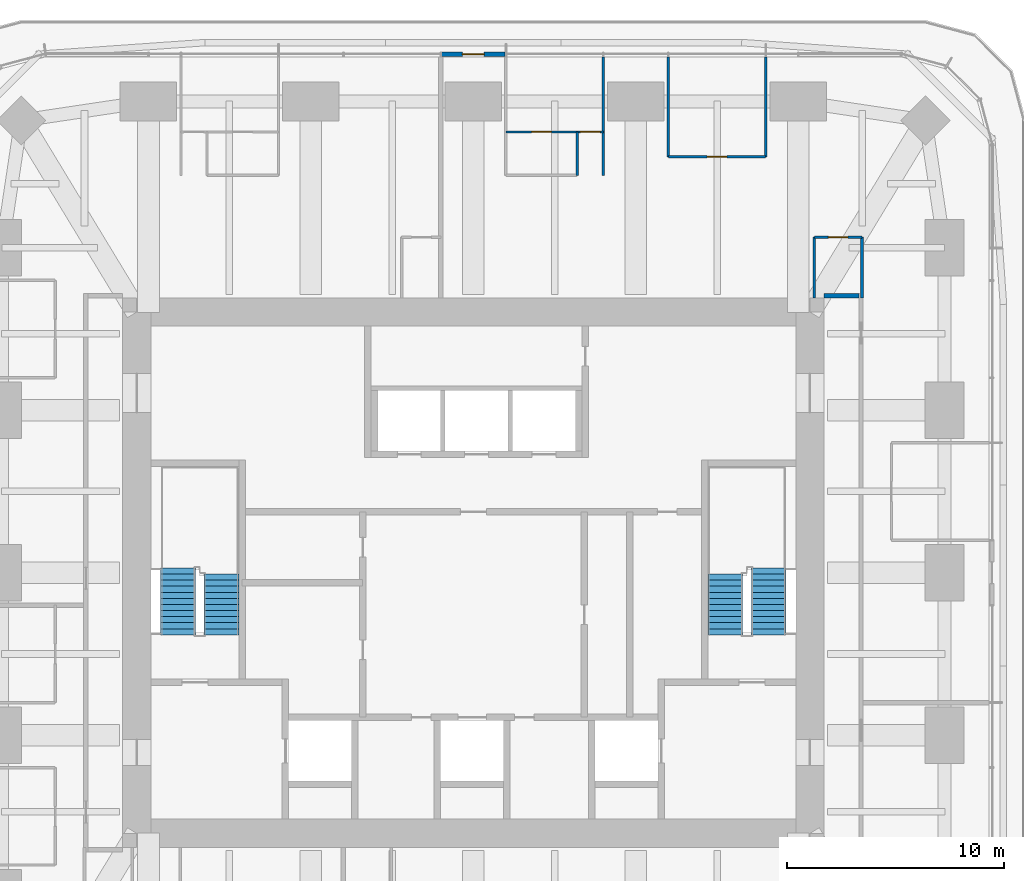
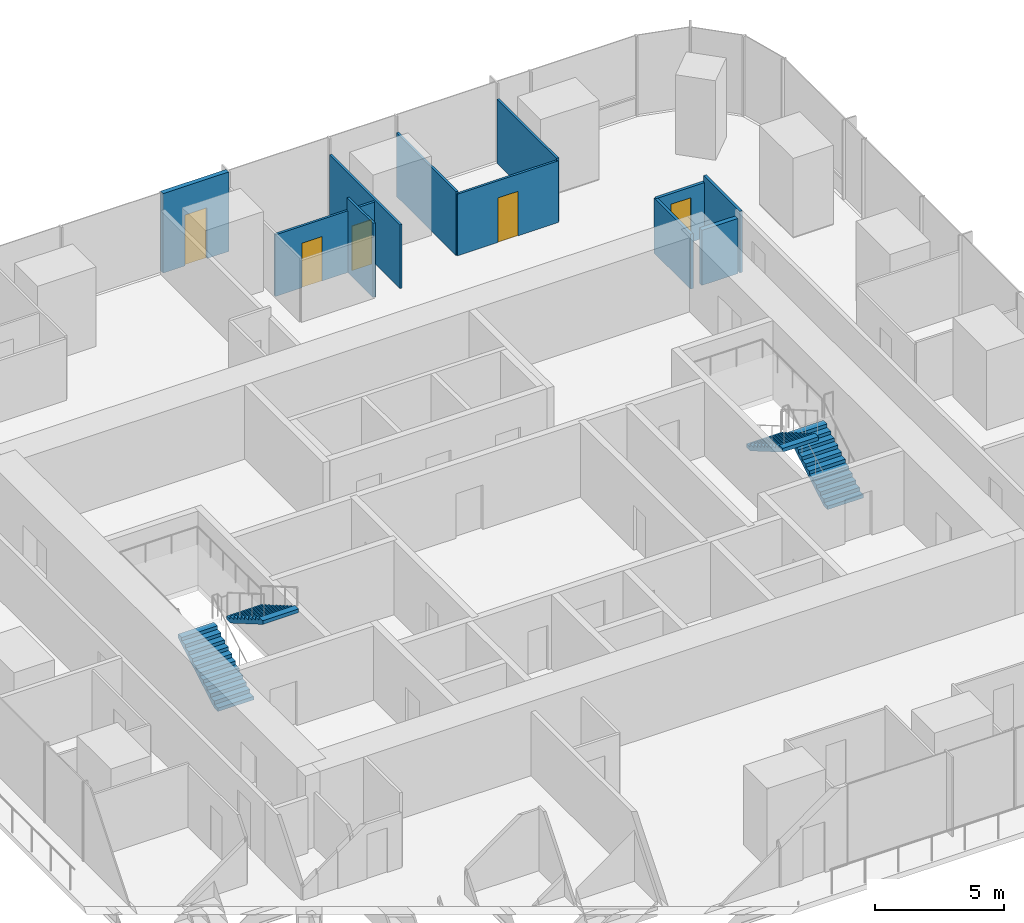
# One storey, part 11 of 15: 11 walls, 5 doors, 4 stair flights, 5 openings, 2 elements without a shape of their own.
"""IFC4 building model written with IfcOpenShell, lengths in metres."""

from ifc_helpers import new_model, si_unit, direction, frame, frame_2d, origin, place, context, subcontext, project, spatial, polyline, rectangle, outline, extrude, material, layer, layer_set, type_object, element, fill, aggregate, save


model = new_model("IFC4")

# Units and contexts
model_context = context("Model", 3, precision=1e-05, world=origin(), true_north=direction((0.0, 1.0)))
body_context = subcontext(model_context, "Body", "Model", "MODEL_VIEW")
ifc_project = project(units=[si_unit("LENGTHUNIT", "METRE"), si_unit("AREAUNIT", "SQUARE_METRE"), si_unit("VOLUMEUNIT", "CUBIC_METRE"), si_unit("PLANEANGLEUNIT", "RADIAN"), si_unit("MASSUNIT", "GRAM", prefix="KILO")], contexts=[model_context])

# Site, building, storey
site_placement = place(None, origin())
site = spatial("IfcSite", under=ifc_project, at=site_placement, CompositionType="ELEMENT")
building_placement = place(site_placement, origin())
building = spatial("IfcBuilding", under=site, at=building_placement, Name="Khuree Lantern Residences", CompositionType="ELEMENT")
storey_placement = place(building_placement, frame((0.0, 0.0, 285.75)))
storey = spatial("IfcBuildingStorey", under=building, at=storey_placement, Name="L71", CompositionType="ELEMENT", Elevation=285.75)

# Wall, opening, door
ifc_material_1 = material(Name="Moisture-resistant gypsum board on steel studs", Category="steel")
ifc_layer_1 = layer(ifc_material_1, 0.125)
ifc_layer_set_1 = layer_set([ifc_layer_1], Name="BATHROOM WALL BTW125")
wall_type_1 = type_object("IfcWallType", Name="BATHROOM WALL BTW125", PredefinedType="PARTITIONING", material=ifc_layer_set_1)
wall_1_placement = place(storey_placement, frame((17.89990234375, 15.449951171875, 0.0), z_axis=(0.0, 0.0, 1.0), x_axis=(-1.0, 0.0, 0.0)))
wall_1 = element("IfcWall", 1, at=wall_1_placement, inside=storey, type_object=wall_type_1, Name="L71 BATHROOM WALL 01", PredefinedType="PARTITIONING", context=body_context, shape_type="SweptSolid", body=[
    extrude(rectangle(XDim=2.199951171875, YDim=0.125, at=frame_2d((1.10009765625, 0.0))), origin(), (0.0, 0.0, 1.0), 2.60009765625),
])
opening_1_placement = place(wall_1_placement, frame((0.64990234375, 0.0, 0.0)))
opening_1 = element("IfcOpeningElement", 2, at=opening_1_placement, cuts=wall_1, Name="Opening 71-025", PredefinedType="OPENING", context=body_context, shape_type="SweptSolid", body=[
    extrude(rectangle(XDim=0.89990234375, YDim=2.10009765625, at=frame_2d((0.449951171875, 1.050048828125))), frame((0.0, 0.072509765625, 0.0), z_axis=(0.0, -1.0, 0.0), x_axis=(1.0, 0.0, 0.0)), (0.0, 0.0, 1.0), 0.14501953125),
])
ifc_material_2 = material(Name="Timber door leaf in hardwood frame", Category="wood")
door_type_1 = type_object("IfcDoorType", Name="BATHROOM DOOR 900X2100", OperationType="SINGLE_SWING_LEFT", PredefinedType="DOOR", material=ifc_material_2)
door_1_placement = place(opening_1_placement, origin())
door_1 = element("IfcDoor", 3, at=door_1_placement, inside=storey, type_object=door_type_1, Name="Bathroom door 71-025", OperationType="SINGLE_SWING_LEFT", OverallHeight=2.10009765625, OverallWidth=0.89990234375, PredefinedType="DOOR", context=body_context, shape_type="SweptSolid", body=[
    extrude(rectangle(XDim=0.89990234375, YDim=2.10009765625, at=frame_2d((0.449951171875, 1.050048828125))), frame((0.0, 0.02490234375, 0.0), z_axis=(0.0, -1.0, 0.0), x_axis=(1.0, 0.0, 0.0)), (0.0, 0.0, 1.0), 0.050048828125),
])
fill(opening_1, door_1)

# Walls
wall_2_placement = place(storey_placement, frame((17.89990234375, 12.64990234375, 0.0), z_axis=(0.0, 0.0, 1.0), x_axis=(0.0, 1.0, 0.0)))
element("IfcWall", 4, at=wall_2_placement, inside=storey, type_object=wall_type_1, Name="L71 BATHROOM WALL 01", PredefinedType="PARTITIONING", context=body_context, shape_type="SweptSolid", body=[
    extrude(rectangle(XDim=2.800048828125, YDim=0.125, at=frame_2d((1.39990234375, 0.0))), origin(), (0.0, 0.0, 1.0), 2.89990234375),
])
wall_3_placement = place(storey_placement, frame((15.699951171875, 12.64990234375, 0.0), z_axis=(0.0, 0.0, 1.0), x_axis=(0.0, 1.0, 0.0)))
element("IfcWall", 5, at=wall_3_placement, inside=storey, type_object=wall_type_1, Name="L71 BATHROOM WALL 01", PredefinedType="PARTITIONING", context=body_context, shape_type="SweptSolid", body=[
    extrude(rectangle(XDim=2.800048828125, YDim=0.125, at=frame_2d((1.39990234375, 0.0))), origin(), (0.0, 0.0, 1.0), 2.60009765625),
])
ifc_material_3 = material(Name="Gypsum board on steel studs", Category="steel")
ifc_layer_2 = layer(ifc_material_3, 0.199951171875)
ifc_layer_set_2 = layer_set([ifc_layer_2], Name="CORRIDOR WALL CRW200 EI 60")
wall_type_2 = type_object("IfcWallType", Name="CORRIDOR WALL CRW200 EI 60", PredefinedType="PARTITIONING", material=ifc_layer_set_2)
wall_4_placement = place(storey_placement, frame((16.14990234375, 12.75, 0.0), z_axis=(0.0, 0.0, 1.0), x_axis=(1.0, 0.0, 0.0)))
element("IfcWall", 6, at=wall_4_placement, inside=storey, type_object=wall_type_2, Name="L71 EAST CORRIDOR NORTH END WALL", PredefinedType="PARTITIONING", context=body_context, shape_type="SweptSolid", body=[
    extrude(rectangle(XDim=1.60009765625, YDim=0.199951171875, at=frame_2d((0.800048828125, 0.0))), origin(), (0.0, 0.0, 1.0), 2.60009765625),
])
ifc_layer_3 = layer(ifc_material_3, 0.10009765625)
ifc_layer_set_3 = layer_set([ifc_layer_3], Name="PARTITION PT100")
wall_type_3 = type_object("IfcWallType", Name="PARTITION PT100", PredefinedType="PARTITIONING", material=ifc_layer_set_3)
for number, where, z_axis, x_axis, name in (
    (7, (13.464111328125, 19.14990234375, 0.0), (0.0, 0.0, 1.0), (0.0, 1.0, 0.0), "L71 PARTITION 01"),
    (8, (8.97607421875, 19.14990234375, 0.0), (0.0, 0.0, 1.0), (0.0, 1.0, 0.0), "L71 PARTITION 01"),
):
    element("IfcWall", number, at=place(storey_placement, frame(where, z_axis=z_axis, x_axis=x_axis)), inside=storey, type_object=wall_type_3, Name=name, PredefinedType="PARTITIONING", context=body_context, shape_type="SweptSolid", body=[
        extrude(rectangle(XDim=4.60009765625, YDim=0.10009765625, at=frame_2d((2.300048828125, 0.0))), origin(), (0.0, 0.0, 1.0), 3.010009765625),
    ])
wall_5_placement = place(storey_placement, frame((5.98388671875, 18.29638671875, 0.0), z_axis=(0.0, 0.0, 1.0), x_axis=(0.0, 1.0, 0.0)))
element("IfcWall", 9, at=wall_5_placement, inside=storey, type_object=wall_type_3, Name="L71 PARTITION 01", PredefinedType="PARTITIONING", context=body_context, shape_type="SweptSolid", body=[
    extrude(rectangle(XDim=5.45361328125, YDim=0.10009765625, at=frame_2d((2.726806640625, 0.0))), origin(), (0.0, 0.0, 1.0), 3.010009765625),
])

# Wall, opening, door
wall_6_placement = place(storey_placement, frame((13.464111328125, 19.14990234375, 0.0), z_axis=(0.0, 0.0, 1.0), x_axis=(-1.0, 0.0, 0.0)))
wall_6 = element("IfcWall", 10, at=wall_6_placement, inside=storey, type_object=wall_type_3, Name="L71 PARTITION 01", PredefinedType="PARTITIONING", context=body_context, shape_type="SweptSolid", body=[
    extrude(rectangle(XDim=4.488037109375, YDim=0.10009765625, at=frame_2d((2.244140625, 0.0))), origin(), (0.0, 0.0, 1.0), 2.909912109375),
])
opening_2_placement = place(wall_6_placement, frame((1.7939453125, 0.0, 0.0)))
opening_2 = element("IfcOpeningElement", 11, at=opening_2_placement, cuts=wall_6, Name="Opening 71-022", PredefinedType="OPENING", context=body_context, shape_type="SweptSolid", body=[
    extrude(rectangle(XDim=0.89990234375, YDim=2.10009765625, at=frame_2d((0.449951171875, 1.050048828125))), frame((0.0, 0.06005859375, 0.0), z_axis=(0.0, -1.0, 0.0), x_axis=(1.0, 0.0, 0.0)), (0.0, 0.0, 1.0), 0.1201171875),
])
door_type_2 = type_object("IfcDoorType", Name="BEDROOM DOOR 900X2100", OperationType="SINGLE_SWING_LEFT", PredefinedType="DOOR", material=ifc_material_2)
door_2_placement = place(opening_2_placement, origin())
door_2 = element("IfcDoor", 12, at=door_2_placement, inside=storey, type_object=door_type_2, Name="Bedroom door 71-022", OperationType="SINGLE_SWING_LEFT", OverallHeight=2.10009765625, OverallWidth=0.89990234375, PredefinedType="DOOR", context=body_context, shape_type="SweptSolid", body=[
    extrude(rectangle(XDim=0.89990234375, YDim=2.10009765625, at=frame_2d((0.449951171875, 1.050048828125))), frame((0.0, 0.02490234375, 0.0), z_axis=(0.0, -1.0, 0.0), x_axis=(1.0, 0.0, 0.0)), (0.0, 0.0, 1.0), 0.050048828125),
])
fill(opening_2, door_2)

# Wall, openings, doors
wall_7_placement = place(storey_placement, frame((5.98388671875, 20.29638671875, 0.0), z_axis=(0.0, 0.0, 1.0), x_axis=(-1.0, 0.0, 0.0)))
wall_7 = element("IfcWall", 13, at=wall_7_placement, inside=storey, type_object=wall_type_3, Name="L71 PARTITION 01", PredefinedType="PARTITIONING", context=body_context, shape_type="SweptSolid", body=[
    extrude(rectangle(XDim=4.48779296875, YDim=0.10009765625, at=frame_2d((2.243896484375, 0.0))), origin(), (0.0, 0.0, 1.0), 2.909912109375),
])
opening_3_placement = place(wall_7_placement, frame((0.14990234375, 0.0, 0.0)))
opening_3 = element("IfcOpeningElement", 14, at=opening_3_placement, cuts=wall_7, Name="Opening 71-023", PredefinedType="OPENING", context=body_context, shape_type="SweptSolid", body=[
    extrude(rectangle(XDim=0.89990234375, YDim=2.10009765625, at=frame_2d((0.449951171875, 1.050048828125))), frame((0.0, 0.06005859375, 0.0), z_axis=(0.0, -1.0, 0.0), x_axis=(1.0, 0.0, 0.0)), (0.0, 0.0, 1.0), 0.1201171875),
])
opening_4_placement = place(wall_7_placement, frame((2.39404296875, 0.0, 0.0)))
opening_4 = element("IfcOpeningElement", 15, at=opening_4_placement, cuts=wall_7, Name="Opening 71-024", PredefinedType="OPENING", context=body_context, shape_type="SweptSolid", body=[
    extrude(rectangle(XDim=0.89990234375, YDim=2.10009765625, at=frame_2d((0.449951171875, 1.050048828125))), frame((0.0, 0.06005859375, 0.0), z_axis=(0.0, -1.0, 0.0), x_axis=(1.0, 0.0, 0.0)), (0.0, 0.0, 1.0), 0.1201171875),
])
door_3_placement = place(opening_4_placement, origin())
door_3 = element("IfcDoor", 16, at=door_3_placement, inside=storey, type_object=door_type_1, Name="Bathroom door 71-024", OperationType="SINGLE_SWING_LEFT", OverallHeight=2.10009765625, OverallWidth=0.89990234375, PredefinedType="DOOR", context=body_context, shape_type="SweptSolid", body=[
    extrude(rectangle(XDim=0.89990234375, YDim=2.10009765625, at=frame_2d((0.449951171875, 1.050048828125))), frame((0.0, 0.02490234375, 0.0), z_axis=(0.0, -1.0, 0.0), x_axis=(1.0, 0.0, 0.0)), (0.0, 0.0, 1.0), 0.050048828125),
])
fill(opening_4, door_3)
door_4_placement = place(opening_3_placement, origin())
door_4 = element("IfcDoor", 17, at=door_4_placement, inside=storey, type_object=door_type_2, Name="Bedroom door 71-023", OperationType="SINGLE_SWING_LEFT", OverallHeight=2.10009765625, OverallWidth=0.89990234375, PredefinedType="DOOR", context=body_context, shape_type="SweptSolid", body=[
    extrude(rectangle(XDim=0.89990234375, YDim=2.10009765625, at=frame_2d((0.449951171875, 1.050048828125))), frame((0.0, 0.02490234375, 0.0), z_axis=(0.0, -1.0, 0.0), x_axis=(1.0, 0.0, 0.0)), (0.0, 0.0, 1.0), 0.050048828125),
])
fill(opening_3, door_4)

# Wall
wall_8_placement = place(storey_placement, frame((4.783935546875, 18.29638671875, 0.0), z_axis=(0.0, 0.0, 1.0), x_axis=(0.0, 1.0, 0.0)))
element("IfcWall", 18, at=wall_8_placement, inside=storey, type_object=wall_type_3, Name="L71 PARTITION 01", PredefinedType="PARTITIONING", context=body_context, shape_type="SweptSolid", body=[
    extrude(rectangle(XDim=2.0, YDim=0.10009765625, at=frame_2d((1.0, 0.0))), origin(), (0.0, 0.0, 1.0), 3.5),
])

# Wall, opening, door
ifc_material_4 = material(Name="Bronze anodised aluminium insulated panel", Category="aluminium")
ifc_layer_4 = layer(ifc_material_4, 0.199951171875)
ifc_layer_set_4 = layer_set([ifc_layer_4], Name="TERRACE DOOR SURROUND TS1 200")
wall_type_4 = type_object("IfcWallType", Name="TERRACE DOOR SURROUND TS1 200", PredefinedType="ELEMENTEDWALL", material=ifc_layer_set_4)
wall_9_placement = place(storey_placement, frame((1.46337890625, 23.8798828125, 0.0), z_axis=(0.0, 0.0, 1.0), x_axis=(-1.0, 0.0, 0.0)))
wall_9 = element("IfcWall", 19, at=wall_9_placement, inside=storey, type_object=wall_type_4, Name="L71 NORTH FACE TERRACE DOOR SURROUND 23", PredefinedType="ELEMENTEDWALL", context=body_context, shape_type="SweptSolid", body=[
    extrude(rectangle(XDim=2.9267578125, YDim=0.199951171875, at=frame_2d((1.46337890625, 0.0))), origin(), (0.0, 0.0, 1.0), 3.75),
])
opening_5_placement = place(wall_9_placement, frame((0.96337890625, 0.0, 0.0)))
opening_5 = element("IfcOpeningElement", 20, at=opening_5_placement, cuts=wall_9, Name="Opening 71-T02", PredefinedType="OPENING", context=body_context, shape_type="SweptSolid", body=[
    extrude(rectangle(XDim=1.0, YDim=2.39990234375, at=frame_2d((0.5, 1.199951171875))), frame((0.0, 0.10986328125, 0.0), z_axis=(0.0, -1.0, 0.0), x_axis=(1.0, 0.0, 0.0)), (0.0, 0.0, 1.0), 0.219970703125),
])
ifc_material_5 = material(Name="Bronze anodised aluminium framed triple glazing", Category="aluminium")
door_type_3 = type_object("IfcDoorType", Name="TERRACE DOOR D-T1 1000X2400", OperationType="SINGLE_SWING_RIGHT", PredefinedType="DOOR", material=ifc_material_5)
door_5_placement = place(opening_5_placement, origin())
door_5 = element("IfcDoor", 21, at=door_5_placement, inside=storey, type_object=door_type_3, Name="L71 NORTH FACE TERRACE DOOR 71-T02", OperationType="SINGLE_SWING_LEFT", OverallHeight=2.39990234375, OverallWidth=1.0, PredefinedType="DOOR", context=body_context, shape_type="SweptSolid", body=[
    extrude(rectangle(XDim=1.0, YDim=2.39990234375, at=frame_2d((0.5, 1.199951171875))), frame((0.0, 0.02490234375, 0.0), z_axis=(0.0, -1.0, 0.0), x_axis=(1.0, 0.0, 0.0)), (0.0, 0.0, 1.0), 0.050048828125),
])
fill(opening_5, door_5)

# Stair, stair flights
ifc_material_6 = material(Name="Concrete C40/50", Category="concrete")
stair_type = type_object("IfcStairType", Name="STAIR ST1 HALF TURN 3600", PredefinedType="HALF_TURN_STAIR", material=ifc_material_6)
stair_1_placement = place(storey_placement, origin())
stair_1 = element("IfcStair", 22, at=stair_1_placement, inside=storey, type_object=stair_type, Name="Stair ST1", PredefinedType="HALF_TURN_STAIR")
stair_flight_type = type_object("IfcStairFlightType", Name="STAIR FLIGHT SF1 1600", PredefinedType="STRAIGHT", material=ifc_material_6)
stair_flight_1_placement = place(storey_placement, frame((-13.60009765625, -2.860107421875, 0.0), z_axis=(0.0, 0.0, 1.0), x_axis=(0.0, 1.0, 0.0)))
stair_flight_1 = element("IfcStairFlight", 23, at=stair_flight_1_placement, type_object=stair_flight_type, Name="ST1 flight 1", NumberOfRisers=12, NumberOfTreads=11, PredefinedType="STRAIGHT", RiserHeight=0.163043478, TreadLength=0.28, context=body_context, shape_type="SweptSolid", body=[
    extrude(outline(polyline([(0.0, 0.0), (0.0, 0.1630859375), (0.280029296875, 0.1630859375), (0.280029296875, 0.326171875), (0.56005859375, 0.326171875), (0.56005859375, 0.489013671875), (0.840087890625, 0.489013671875), (0.840087890625, 0.652099609375), (1.1201171875, 0.652099609375), (1.1201171875, 0.815185546875), (1.39990234375, 0.815185546875), (1.39990234375, 0.978271484375), (1.679931640625, 0.978271484375), (1.679931640625, 1.141357421875), (1.9599609375, 1.141357421875), (1.9599609375, 1.304443359375), (2.239990234375, 1.304443359375), (2.239990234375, 1.46728515625), (2.52001953125, 1.46728515625), (2.52001953125, 1.63037109375), (2.800048828125, 1.63037109375), (2.800048828125, 1.79345703125), (3.080078125, 1.79345703125), (3.080078125, 1.95654296875), (3.080078125, 1.6201171875), (0.2978515625, 0.0), (0.0, 0.0)])), frame((0.0, 0.800048828125, 0.0), z_axis=(0.0, -1.0, 0.0), x_axis=(1.0, 0.0, 0.0)), (0.0, 0.0, 1.0), 1.60009765625),
])
stair_flight_2_placement = place(storey_placement, frame((-11.60009765625, -0.06005859375, 1.95654296875), z_axis=(0.0, 0.0, 1.0), x_axis=(0.0, -1.0, 0.0)))
stair_flight_2 = element("IfcStairFlight", 24, at=stair_flight_2_placement, type_object=stair_flight_type, Name="ST1 flight 2", NumberOfRisers=11, NumberOfTreads=10, PredefinedType="STRAIGHT", RiserHeight=0.163043478, TreadLength=0.28, context=body_context, shape_type="SweptSolid", body=[
    extrude(outline(polyline([(0.0, 0.0), (0.0, 0.1630859375), (0.280029296875, 0.1630859375), (0.280029296875, 0.326171875), (0.56005859375, 0.326171875), (0.56005859375, 0.489013671875), (0.840087890625, 0.489013671875), (0.840087890625, 0.652099609375), (1.1201171875, 0.652099609375), (1.1201171875, 0.815185546875), (1.39990234375, 0.815185546875), (1.39990234375, 0.978271484375), (1.679931640625, 0.978271484375), (1.679931640625, 1.141357421875), (1.9599609375, 1.141357421875), (1.9599609375, 1.304443359375), (2.239990234375, 1.304443359375), (2.239990234375, 1.46728515625), (2.52001953125, 1.46728515625), (2.52001953125, 1.63037109375), (2.800048828125, 1.63037109375), (2.800048828125, 1.79345703125), (2.800048828125, 1.45703125), (0.2978515625, 0.0), (0.0, 0.0)])), frame((0.0, 0.800048828125, 0.0), z_axis=(0.0, -1.0, 0.0), x_axis=(1.0, 0.0, 0.0)), (0.0, 0.0, 1.0), 1.60009765625),
])
aggregate(stair_1, [stair_flight_1, stair_flight_2])

stair_2_placement = place(storey_placement, origin())
stair_2 = element("IfcStair", 25, at=stair_2_placement, inside=storey, type_object=stair_type, Name="Stair ST2", PredefinedType="HALF_TURN_STAIR")
stair_flight_3_placement = place(storey_placement, frame((13.60009765625, -2.860107421875, 0.0), z_axis=(0.0, 0.0, 1.0), x_axis=(0.0, 1.0, 0.0)))
stair_flight_3 = element("IfcStairFlight", 26, at=stair_flight_3_placement, type_object=stair_flight_type, Name="ST2 flight 1", NumberOfRisers=12, NumberOfTreads=11, PredefinedType="STRAIGHT", RiserHeight=0.163043478, TreadLength=0.28, context=body_context, shape_type="SweptSolid", body=[
    extrude(outline(polyline([(0.0, 0.0), (0.0, 0.1630859375), (0.280029296875, 0.1630859375), (0.280029296875, 0.326171875), (0.56005859375, 0.326171875), (0.56005859375, 0.489013671875), (0.840087890625, 0.489013671875), (0.840087890625, 0.652099609375), (1.1201171875, 0.652099609375), (1.1201171875, 0.815185546875), (1.39990234375, 0.815185546875), (1.39990234375, 0.978271484375), (1.679931640625, 0.978271484375), (1.679931640625, 1.141357421875), (1.9599609375, 1.141357421875), (1.9599609375, 1.304443359375), (2.239990234375, 1.304443359375), (2.239990234375, 1.46728515625), (2.52001953125, 1.46728515625), (2.52001953125, 1.63037109375), (2.800048828125, 1.63037109375), (2.800048828125, 1.79345703125), (3.080078125, 1.79345703125), (3.080078125, 1.95654296875), (3.080078125, 1.6201171875), (0.2978515625, 0.0), (0.0, 0.0)])), frame((0.0, 0.800048828125, 0.0), z_axis=(0.0, -1.0, 0.0), x_axis=(1.0, 0.0, 0.0)), (0.0, 0.0, 1.0), 1.60009765625),
])
stair_flight_4_placement = place(storey_placement, frame((11.60009765625, -0.06005859375, 1.95654296875), z_axis=(0.0, 0.0, 1.0), x_axis=(0.0, -1.0, 0.0)))
stair_flight_4 = element("IfcStairFlight", 27, at=stair_flight_4_placement, type_object=stair_flight_type, Name="ST2 flight 2", NumberOfRisers=11, NumberOfTreads=10, PredefinedType="STRAIGHT", RiserHeight=0.163043478, TreadLength=0.28, context=body_context, shape_type="SweptSolid", body=[
    extrude(outline(polyline([(0.0, 0.0), (0.0, 0.1630859375), (0.280029296875, 0.1630859375), (0.280029296875, 0.326171875), (0.56005859375, 0.326171875), (0.56005859375, 0.489013671875), (0.840087890625, 0.489013671875), (0.840087890625, 0.652099609375), (1.1201171875, 0.652099609375), (1.1201171875, 0.815185546875), (1.39990234375, 0.815185546875), (1.39990234375, 0.978271484375), (1.679931640625, 0.978271484375), (1.679931640625, 1.141357421875), (1.9599609375, 1.141357421875), (1.9599609375, 1.304443359375), (2.239990234375, 1.304443359375), (2.239990234375, 1.46728515625), (2.52001953125, 1.46728515625), (2.52001953125, 1.63037109375), (2.800048828125, 1.63037109375), (2.800048828125, 1.79345703125), (2.800048828125, 1.45703125), (0.2978515625, 0.0), (0.0, 0.0)])), frame((0.0, 0.800048828125, 0.0), z_axis=(0.0, -1.0, 0.0), x_axis=(1.0, 0.0, 0.0)), (0.0, 0.0, 1.0), 1.60009765625),
])
aggregate(stair_2, [stair_flight_3, stair_flight_4])

save(model, "model.ifc")
